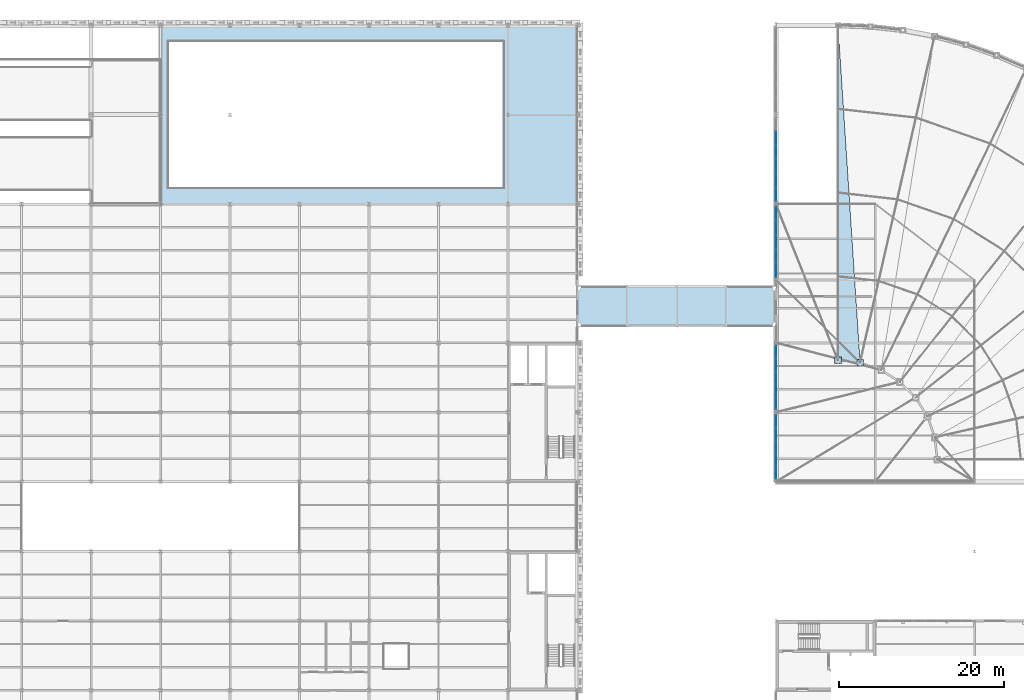
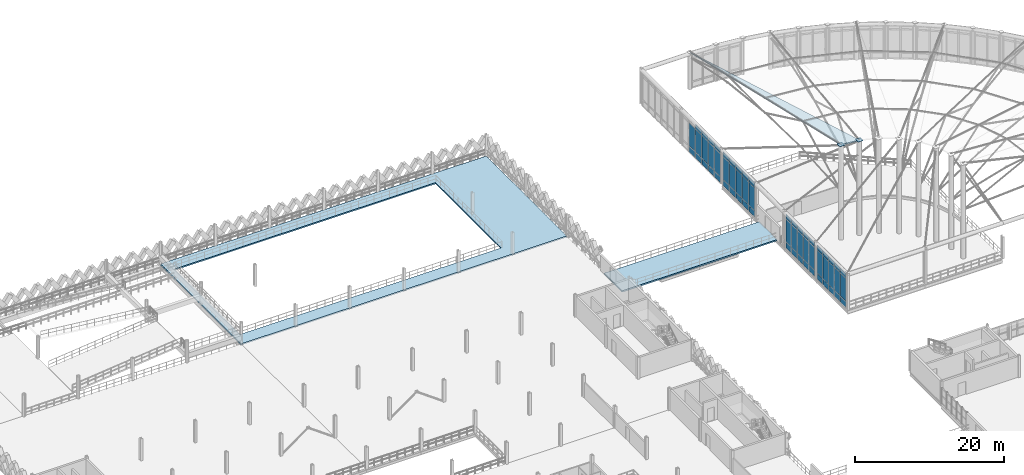
# One storey, part 68 of 101: 61 plates, 3 slabs, 5 elements without a shape of their own.
"""IFC4 building model written with IfcOpenShell, lengths in metres."""

from ifc_helpers import new_model, si_unit, direction, frame, origin, origin_2d, place, context, subcontext, project, spatial, polyline, rectangle, outline, extrude, material, layer, layer_set, type_object, element, aggregate, save


model = new_model("IFC4")

# Units and contexts
model_context = context("Model", 3, precision=1e-05, world=origin(), true_north=direction((0.0, 1.0)))
body_context = subcontext(model_context, "Body", "Model", "MODEL_VIEW")
ifc_project = project(units=[si_unit("LENGTHUNIT", "METRE"), si_unit("AREAUNIT", "SQUARE_METRE"), si_unit("VOLUMEUNIT", "CUBIC_METRE"), si_unit("PLANEANGLEUNIT", "RADIAN"), si_unit("MASSUNIT", "GRAM", prefix="KILO"), si_unit("THERMODYNAMICTEMPERATUREUNIT", "KELVIN"), si_unit("POWERUNIT", "WATT")], contexts=[model_context])

# Site, building, storey
site_placement = place(None, origin())
site = spatial("IfcSite", under=ifc_project, at=site_placement, CompositionType="ELEMENT")
building_placement = place(site_placement, origin())
building = spatial("IfcBuilding", under=site, at=building_placement, Name="Tembeka Court Mobility Hub", CompositionType="ELEMENT")
storey_placement = place(building_placement, frame((0.0, 0.0, 5.39990234375)))
storey = spatial("IfcBuildingStorey", under=building, at=storey_placement, Name="L01", CompositionType="ELEMENT", Elevation=5.39990234375)

# Curtain wall, plates
ifc_material_1 = material(Name="Anodised aluminium 6063-T6", Category="aluminium")
ifc_layer_1 = layer(ifc_material_1, 0.199951171875)
ifc_layer_set_1 = layer_set([ifc_layer_1], Name="Anodised aluminium 6063-T6")
curtain_wall_type_1 = type_object("IfcCurtainWallType", Name="CW-SYS26", PredefinedType="USERDEFINED", material=ifc_layer_set_1)
curtain_wall_1_placement = place(storey_placement, origin())
curtain_wall_1 = element("IfcCurtainWall", 1, at=curtain_wall_1_placement, inside=storey, type_object=curtain_wall_type_1, Name="Unitised curtain wall CW26 (CW-L01-085)", ObjectType="UNITISED GLAZING", PredefinedType="USERDEFINED")
ifc_material_2 = material(Name="Laminated solar-control low-E glass", Category="glass")
ifc_layer_2 = layer(ifc_material_2, 0.028076171875)
ifc_layer_set_2 = layer_set([ifc_layer_2], Name="Laminated solar-control low-E glass")
plate_type_1 = type_object("IfcPlateType", Name="PL-CW01", PredefinedType="CURTAIN_PANEL", material=ifc_layer_set_2)
plate_1_placement = place(storey_placement, frame((116.39990234375, 73.082763671875, 0.0751953125), z_axis=(0.0, 0.0, 1.0), x_axis=(0.0, 1.0, 0.0)))
plate_1 = element("IfcPlate", 2, at=plate_1_placement, type_object=plate_type_1, Name="CW26 panel 1.1", PredefinedType="CURTAIN_PANEL", context=body_context, shape_type="SweptSolid", body=[
    extrude(rectangle(XDim=1.45556640625, YDim=0.028076171875, at=origin_2d()), origin(), (0.0, 0.0, 1.0), 0.9375),
])
plate_2_placement = place(storey_placement, frame((116.39990234375, 73.082763671875, 1.087646484375), z_axis=(0.0, 0.0, 1.0), x_axis=(0.0, 1.0, 0.0)))
plate_2 = element("IfcPlate", 3, at=plate_2_placement, type_object=plate_type_1, Name="CW26 panel 1.2", PredefinedType="CURTAIN_PANEL", context=body_context, shape_type="SweptSolid", body=[
    extrude(rectangle(XDim=1.45556640625, YDim=0.028076171875, at=origin_2d()), origin(), (0.0, 0.0, 1.0), 3.72509765625),
])
plate_3_placement = place(storey_placement, frame((116.39990234375, 73.082763671875, 4.8876953125), z_axis=(0.0, 0.0, 1.0), x_axis=(0.0, 1.0, 0.0)))
plate_3 = element("IfcPlate", 4, at=plate_3_placement, type_object=plate_type_1, Name="CW26 panel 1.3", PredefinedType="CURTAIN_PANEL", context=body_context, shape_type="SweptSolid", body=[
    extrude(rectangle(XDim=1.45556640625, YDim=0.028076171875, at=origin_2d()), origin(), (0.0, 0.0, 1.0), 0.737548828125),
])
plate_4_placement = place(storey_placement, frame((116.39990234375, 74.632080078125, 0.0751953125), z_axis=(0.0, 0.0, 1.0), x_axis=(0.0, 1.0, 0.0)))
plate_4 = element("IfcPlate", 5, at=plate_4_placement, type_object=plate_type_1, Name="CW26 panel 2.1", PredefinedType="CURTAIN_PANEL", context=body_context, shape_type="SweptSolid", body=[
    extrude(rectangle(XDim=1.492919921875, YDim=0.028076171875, at=origin_2d()), origin(), (0.0, 0.0, 1.0), 0.9375),
])
plate_5_placement = place(storey_placement, frame((116.39990234375, 74.632080078125, 1.087646484375), z_axis=(0.0, 0.0, 1.0), x_axis=(0.0, 1.0, 0.0)))
plate_5 = element("IfcPlate", 6, at=plate_5_placement, type_object=plate_type_1, Name="CW26 panel 2.2", PredefinedType="CURTAIN_PANEL", context=body_context, shape_type="SweptSolid", body=[
    extrude(rectangle(XDim=1.492919921875, YDim=0.028076171875, at=origin_2d()), origin(), (0.0, 0.0, 1.0), 3.72509765625),
])
plate_6_placement = place(storey_placement, frame((116.39990234375, 74.632080078125, 4.8876953125), z_axis=(0.0, 0.0, 1.0), x_axis=(0.0, 1.0, 0.0)))
plate_6 = element("IfcPlate", 7, at=plate_6_placement, type_object=plate_type_1, Name="CW26 panel 2.3", PredefinedType="CURTAIN_PANEL", context=body_context, shape_type="SweptSolid", body=[
    extrude(rectangle(XDim=1.492919921875, YDim=0.028076171875, at=origin_2d()), origin(), (0.0, 0.0, 1.0), 0.737548828125),
])
plate_7_placement = place(storey_placement, frame((116.39990234375, 76.199951171875, 0.0751953125), z_axis=(0.0, 0.0, 1.0), x_axis=(0.0, 1.0, 0.0)))
plate_7 = element("IfcPlate", 8, at=plate_7_placement, type_object=plate_type_1, Name="CW26 panel 3.1", PredefinedType="CURTAIN_PANEL", context=body_context, shape_type="SweptSolid", body=[
    extrude(rectangle(XDim=1.492919921875, YDim=0.028076171875, at=origin_2d()), origin(), (0.0, 0.0, 1.0), 0.9375),
])
plate_8_placement = place(storey_placement, frame((116.39990234375, 76.199951171875, 1.087646484375), z_axis=(0.0, 0.0, 1.0), x_axis=(0.0, 1.0, 0.0)))
plate_8 = element("IfcPlate", 9, at=plate_8_placement, type_object=plate_type_1, Name="CW26 panel 3.2", PredefinedType="CURTAIN_PANEL", context=body_context, shape_type="SweptSolid", body=[
    extrude(rectangle(XDim=1.492919921875, YDim=0.028076171875, at=origin_2d()), origin(), (0.0, 0.0, 1.0), 3.72509765625),
])
plate_9_placement = place(storey_placement, frame((116.39990234375, 76.199951171875, 4.8876953125), z_axis=(0.0, 0.0, 1.0), x_axis=(0.0, 1.0, 0.0)))
plate_9 = element("IfcPlate", 10, at=plate_9_placement, type_object=plate_type_1, Name="CW26 panel 3.3", PredefinedType="CURTAIN_PANEL", context=body_context, shape_type="SweptSolid", body=[
    extrude(rectangle(XDim=1.492919921875, YDim=0.028076171875, at=origin_2d()), origin(), (0.0, 0.0, 1.0), 0.737548828125),
])
plate_10_placement = place(storey_placement, frame((116.39990234375, 77.76806640625, 0.0751953125), z_axis=(0.0, 0.0, 1.0), x_axis=(0.0, 1.0, 0.0)))
plate_10 = element("IfcPlate", 11, at=plate_10_placement, type_object=plate_type_1, Name="CW26 panel 4.1", PredefinedType="CURTAIN_PANEL", context=body_context, shape_type="SweptSolid", body=[
    extrude(rectangle(XDim=1.492919921875, YDim=0.028076171875, at=origin_2d()), origin(), (0.0, 0.0, 1.0), 0.9375),
])
plate_11_placement = place(storey_placement, frame((116.39990234375, 77.76806640625, 1.087646484375), z_axis=(0.0, 0.0, 1.0), x_axis=(0.0, 1.0, 0.0)))
plate_11 = element("IfcPlate", 12, at=plate_11_placement, type_object=plate_type_1, Name="CW26 panel 4.2", PredefinedType="CURTAIN_PANEL", context=body_context, shape_type="SweptSolid", body=[
    extrude(rectangle(XDim=1.492919921875, YDim=0.028076171875, at=origin_2d()), origin(), (0.0, 0.0, 1.0), 3.72509765625),
])
plate_12_placement = place(storey_placement, frame((116.39990234375, 77.76806640625, 4.8876953125), z_axis=(0.0, 0.0, 1.0), x_axis=(0.0, 1.0, 0.0)))
plate_12 = element("IfcPlate", 13, at=plate_12_placement, type_object=plate_type_1, Name="CW26 panel 4.3", PredefinedType="CURTAIN_PANEL", context=body_context, shape_type="SweptSolid", body=[
    extrude(rectangle(XDim=1.492919921875, YDim=0.028076171875, at=origin_2d()), origin(), (0.0, 0.0, 1.0), 0.737548828125),
])
plate_13_placement = place(storey_placement, frame((116.39990234375, 79.317138671875, 0.0751953125), z_axis=(0.0, 0.0, 1.0), x_axis=(0.0, 1.0, 0.0)))
plate_13 = element("IfcPlate", 14, at=plate_13_placement, type_object=plate_type_1, Name="CW26 panel 5.1", PredefinedType="CURTAIN_PANEL", context=body_context, shape_type="SweptSolid", body=[
    extrude(rectangle(XDim=1.45556640625, YDim=0.028076171875, at=origin_2d()), origin(), (0.0, 0.0, 1.0), 0.9375),
])
plate_14_placement = place(storey_placement, frame((116.39990234375, 79.317138671875, 1.087646484375), z_axis=(0.0, 0.0, 1.0), x_axis=(0.0, 1.0, 0.0)))
plate_14 = element("IfcPlate", 15, at=plate_14_placement, type_object=plate_type_1, Name="CW26 panel 5.2", PredefinedType="CURTAIN_PANEL", context=body_context, shape_type="SweptSolid", body=[
    extrude(rectangle(XDim=1.45556640625, YDim=0.028076171875, at=origin_2d()), origin(), (0.0, 0.0, 1.0), 3.72509765625),
])
plate_15_placement = place(storey_placement, frame((116.39990234375, 79.317138671875, 4.8876953125), z_axis=(0.0, 0.0, 1.0), x_axis=(0.0, 1.0, 0.0)))
plate_15 = element("IfcPlate", 16, at=plate_15_placement, type_object=plate_type_1, Name="CW26 panel 5.3", PredefinedType="CURTAIN_PANEL", context=body_context, shape_type="SweptSolid", body=[
    extrude(rectangle(XDim=1.45556640625, YDim=0.028076171875, at=origin_2d()), origin(), (0.0, 0.0, 1.0), 0.737548828125),
])
aggregate(curtain_wall_1, [plate_1, plate_2, plate_3, plate_4, plate_5, plate_6, plate_7, plate_8, plate_9, plate_10, plate_11, plate_12, plate_13, plate_14, plate_15])

ifc_layer_3 = layer(ifc_material_1, 0.199951171875)
ifc_layer_set_3 = layer_set([ifc_layer_3], Name="Anodised aluminium 6063-T6")
curtain_wall_type_2 = type_object("IfcCurtainWallType", Name="CW-SYS30", PredefinedType="USERDEFINED", material=ifc_layer_set_3)
curtain_wall_2_placement = place(storey_placement, origin())
curtain_wall_2 = element("IfcCurtainWall", 17, at=curtain_wall_2_placement, inside=storey, type_object=curtain_wall_type_2, Name="Unitised curtain wall CW30 (CW-L01-090)", ObjectType="UNITISED GLAZING", PredefinedType="USERDEFINED")
plate_16_placement = place(storey_placement, frame((116.39990234375, 98.35205078125, 0.0751953125), z_axis=(0.0, 0.0, 1.0), x_axis=(0.0, 1.0, 0.0)))
plate_16 = element("IfcPlate", 18, at=plate_16_placement, type_object=plate_type_1, Name="CW30 panel 1.1", PredefinedType="CURTAIN_PANEL", context=body_context, shape_type="SweptSolid", body=[
    extrude(rectangle(XDim=1.59423828125, YDim=0.028076171875, at=origin_2d()), origin(), (0.0, 0.0, 1.0), 0.9375),
])
plate_17_placement = place(storey_placement, frame((116.39990234375, 98.35205078125, 1.087646484375), z_axis=(0.0, 0.0, 1.0), x_axis=(0.0, 1.0, 0.0)))
plate_17 = element("IfcPlate", 19, at=plate_17_placement, type_object=plate_type_1, Name="CW30 panel 1.2", PredefinedType="CURTAIN_PANEL", context=body_context, shape_type="SweptSolid", body=[
    extrude(rectangle(XDim=1.59423828125, YDim=0.028076171875, at=origin_2d()), origin(), (0.0, 0.0, 1.0), 3.72509765625),
])
plate_18_placement = place(storey_placement, frame((116.39990234375, 98.35205078125, 4.8876953125), z_axis=(0.0, 0.0, 1.0), x_axis=(0.0, 1.0, 0.0)))
plate_18 = element("IfcPlate", 20, at=plate_18_placement, type_object=plate_type_1, Name="CW30 panel 1.3", PredefinedType="CURTAIN_PANEL", context=body_context, shape_type="SweptSolid", body=[
    extrude(rectangle(XDim=1.59423828125, YDim=0.028076171875, at=origin_2d()), origin(), (0.0, 0.0, 1.0), 0.737548828125),
])
plate_19_placement = place(storey_placement, frame((116.39990234375, 100.0400390625, 0.0751953125), z_axis=(0.0, 0.0, 1.0), x_axis=(0.0, 1.0, 0.0)))
plate_19 = element("IfcPlate", 21, at=plate_19_placement, type_object=plate_type_1, Name="CW30 panel 2.1", PredefinedType="CURTAIN_PANEL", context=body_context, shape_type="SweptSolid", body=[
    extrude(rectangle(XDim=1.631591796875, YDim=0.028076171875, at=origin_2d()), origin(), (0.0, 0.0, 1.0), 0.9375),
])
plate_20_placement = place(storey_placement, frame((116.39990234375, 100.0400390625, 1.087646484375), z_axis=(0.0, 0.0, 1.0), x_axis=(0.0, 1.0, 0.0)))
plate_20 = element("IfcPlate", 22, at=plate_20_placement, type_object=plate_type_1, Name="CW30 panel 2.2", PredefinedType="CURTAIN_PANEL", context=body_context, shape_type="SweptSolid", body=[
    extrude(rectangle(XDim=1.631591796875, YDim=0.028076171875, at=origin_2d()), origin(), (0.0, 0.0, 1.0), 3.72509765625),
])
plate_21_placement = place(storey_placement, frame((116.39990234375, 100.0400390625, 4.8876953125), z_axis=(0.0, 0.0, 1.0), x_axis=(0.0, 1.0, 0.0)))
plate_21 = element("IfcPlate", 23, at=plate_21_placement, type_object=plate_type_1, Name="CW30 panel 2.3", PredefinedType="CURTAIN_PANEL", context=body_context, shape_type="SweptSolid", body=[
    extrude(rectangle(XDim=1.631591796875, YDim=0.028076171875, at=origin_2d()), origin(), (0.0, 0.0, 1.0), 0.737548828125),
])
plate_22_placement = place(storey_placement, frame((116.39990234375, 101.74658203125, 0.0751953125), z_axis=(0.0, 0.0, 1.0), x_axis=(0.0, 1.0, 0.0)))
plate_22 = element("IfcPlate", 24, at=plate_22_placement, type_object=plate_type_1, Name="CW30 panel 3.1", PredefinedType="CURTAIN_PANEL", context=body_context, shape_type="SweptSolid", body=[
    extrude(rectangle(XDim=1.631591796875, YDim=0.028076171875, at=origin_2d()), origin(), (0.0, 0.0, 1.0), 0.9375),
])
plate_23_placement = place(storey_placement, frame((116.39990234375, 101.74658203125, 1.087646484375), z_axis=(0.0, 0.0, 1.0), x_axis=(0.0, 1.0, 0.0)))
plate_23 = element("IfcPlate", 25, at=plate_23_placement, type_object=plate_type_1, Name="CW30 panel 3.2", PredefinedType="CURTAIN_PANEL", context=body_context, shape_type="SweptSolid", body=[
    extrude(rectangle(XDim=1.631591796875, YDim=0.028076171875, at=origin_2d()), origin(), (0.0, 0.0, 1.0), 3.72509765625),
])
plate_24_placement = place(storey_placement, frame((116.39990234375, 101.74658203125, 4.8876953125), z_axis=(0.0, 0.0, 1.0), x_axis=(0.0, 1.0, 0.0)))
plate_24 = element("IfcPlate", 26, at=plate_24_placement, type_object=plate_type_1, Name="CW30 panel 3.3", PredefinedType="CURTAIN_PANEL", context=body_context, shape_type="SweptSolid", body=[
    extrude(rectangle(XDim=1.631591796875, YDim=0.028076171875, at=origin_2d()), origin(), (0.0, 0.0, 1.0), 0.737548828125),
])
plate_25_placement = place(storey_placement, frame((116.39990234375, 103.453369140625, 0.0751953125), z_axis=(0.0, 0.0, 1.0), x_axis=(0.0, 1.0, 0.0)))
plate_25 = element("IfcPlate", 27, at=plate_25_placement, type_object=plate_type_1, Name="CW30 panel 4.1", PredefinedType="CURTAIN_PANEL", context=body_context, shape_type="SweptSolid", body=[
    extrude(rectangle(XDim=1.631591796875, YDim=0.028076171875, at=origin_2d()), origin(), (0.0, 0.0, 1.0), 0.9375),
])
plate_26_placement = place(storey_placement, frame((116.39990234375, 103.453369140625, 1.087646484375), z_axis=(0.0, 0.0, 1.0), x_axis=(0.0, 1.0, 0.0)))
plate_26 = element("IfcPlate", 28, at=plate_26_placement, type_object=plate_type_1, Name="CW30 panel 4.2", PredefinedType="CURTAIN_PANEL", context=body_context, shape_type="SweptSolid", body=[
    extrude(rectangle(XDim=1.631591796875, YDim=0.028076171875, at=origin_2d()), origin(), (0.0, 0.0, 1.0), 3.72509765625),
])
plate_27_placement = place(storey_placement, frame((116.39990234375, 103.453369140625, 4.8876953125), z_axis=(0.0, 0.0, 1.0), x_axis=(0.0, 1.0, 0.0)))
plate_27 = element("IfcPlate", 29, at=plate_27_placement, type_object=plate_type_1, Name="CW30 panel 4.3", PredefinedType="CURTAIN_PANEL", context=body_context, shape_type="SweptSolid", body=[
    extrude(rectangle(XDim=1.631591796875, YDim=0.028076171875, at=origin_2d()), origin(), (0.0, 0.0, 1.0), 0.737548828125),
])
plate_28_placement = place(storey_placement, frame((116.39990234375, 105.159912109375, 0.0751953125), z_axis=(0.0, 0.0, 1.0), x_axis=(0.0, 1.0, 0.0)))
plate_28 = element("IfcPlate", 30, at=plate_28_placement, type_object=plate_type_1, Name="CW30 panel 5.1", PredefinedType="CURTAIN_PANEL", context=body_context, shape_type="SweptSolid", body=[
    extrude(rectangle(XDim=1.631591796875, YDim=0.028076171875, at=origin_2d()), origin(), (0.0, 0.0, 1.0), 0.9375),
])
plate_29_placement = place(storey_placement, frame((116.39990234375, 105.159912109375, 1.087646484375), z_axis=(0.0, 0.0, 1.0), x_axis=(0.0, 1.0, 0.0)))
plate_29 = element("IfcPlate", 31, at=plate_29_placement, type_object=plate_type_1, Name="CW30 panel 5.2", PredefinedType="CURTAIN_PANEL", context=body_context, shape_type="SweptSolid", body=[
    extrude(rectangle(XDim=1.631591796875, YDim=0.028076171875, at=origin_2d()), origin(), (0.0, 0.0, 1.0), 3.72509765625),
])
aggregate(curtain_wall_2, [plate_16, plate_17, plate_18, plate_19, plate_20, plate_21, plate_22, plate_23, plate_24, plate_25, plate_26, plate_27, plate_28, plate_29])

curtain_wall_3_placement = place(storey_placement, origin())
curtain_wall_3 = element("IfcCurtainWall", 32, at=curtain_wall_3_placement, inside=storey, type_object=curtain_wall_type_1, Name="Unitised curtain wall CW26 (CW-L01-084)", ObjectType="UNITISED GLAZING", PredefinedType="USERDEFINED")
ifc_material_3 = material(Name="Insulated aluminium spandrel panel", Category="aluminium")
ifc_layer_4 = layer(ifc_material_3, 0.052001953125)
ifc_layer_set_4 = layer_set([ifc_layer_4], Name="Insulated aluminium spandrel panel")
plate_type_2 = type_object("IfcPlateType", Name="PL-CW02", PredefinedType="CURTAIN_PANEL", material=ifc_layer_set_4)
plate_30_placement = place(storey_placement, frame((116.39990234375, 64.682861328125, 0.0751953125), z_axis=(0.0, 0.0, 1.0), x_axis=(0.0, 1.0, 0.0)))
plate_30 = element("IfcPlate", 33, at=plate_30_placement, type_object=plate_type_2, Name="CW26 panel 1.1", PredefinedType="CURTAIN_PANEL", context=body_context, shape_type="SweptSolid", body=[
    extrude(rectangle(XDim=1.45556640625, YDim=0.052001953125, at=origin_2d()), origin(), (0.0, 0.0, 1.0), 0.9375),
])
plate_31_placement = place(storey_placement, frame((116.39990234375, 64.682861328125, 1.087646484375), z_axis=(0.0, 0.0, 1.0), x_axis=(0.0, 1.0, 0.0)))
plate_31 = element("IfcPlate", 34, at=plate_31_placement, type_object=plate_type_2, Name="CW26 panel 1.2", PredefinedType="CURTAIN_PANEL", context=body_context, shape_type="SweptSolid", body=[
    extrude(rectangle(XDim=1.45556640625, YDim=0.052001953125, at=origin_2d()), origin(), (0.0, 0.0, 1.0), 3.72509765625),
])
plate_32_placement = place(storey_placement, frame((116.39990234375, 64.682861328125, 4.8876953125), z_axis=(0.0, 0.0, 1.0), x_axis=(0.0, 1.0, 0.0)))
plate_32 = element("IfcPlate", 35, at=plate_32_placement, type_object=plate_type_2, Name="CW26 panel 1.3", PredefinedType="CURTAIN_PANEL", context=body_context, shape_type="SweptSolid", body=[
    extrude(rectangle(XDim=1.45556640625, YDim=0.052001953125, at=origin_2d()), origin(), (0.0, 0.0, 1.0), 0.737548828125),
])
plate_33_placement = place(storey_placement, frame((116.39990234375, 66.23193359375, 0.0751953125), z_axis=(0.0, 0.0, 1.0), x_axis=(0.0, 1.0, 0.0)))
plate_33 = element("IfcPlate", 36, at=plate_33_placement, type_object=plate_type_2, Name="CW26 panel 2.1", PredefinedType="CURTAIN_PANEL", context=body_context, shape_type="SweptSolid", body=[
    extrude(rectangle(XDim=1.492919921875, YDim=0.052001953125, at=origin_2d()), origin(), (0.0, 0.0, 1.0), 0.9375),
])
plate_34_placement = place(storey_placement, frame((116.39990234375, 66.23193359375, 1.087646484375), z_axis=(0.0, 0.0, 1.0), x_axis=(0.0, 1.0, 0.0)))
plate_34 = element("IfcPlate", 37, at=plate_34_placement, type_object=plate_type_2, Name="CW26 panel 2.2", PredefinedType="CURTAIN_PANEL", context=body_context, shape_type="SweptSolid", body=[
    extrude(rectangle(XDim=1.492919921875, YDim=0.052001953125, at=origin_2d()), origin(), (0.0, 0.0, 1.0), 3.72509765625),
])
plate_35_placement = place(storey_placement, frame((116.39990234375, 66.23193359375, 4.8876953125), z_axis=(0.0, 0.0, 1.0), x_axis=(0.0, 1.0, 0.0)))
plate_35 = element("IfcPlate", 38, at=plate_35_placement, type_object=plate_type_2, Name="CW26 panel 2.3", PredefinedType="CURTAIN_PANEL", context=body_context, shape_type="SweptSolid", body=[
    extrude(rectangle(XDim=1.492919921875, YDim=0.052001953125, at=origin_2d()), origin(), (0.0, 0.0, 1.0), 0.737548828125),
])
plate_36_placement = place(storey_placement, frame((116.39990234375, 67.800048828125, 0.0751953125), z_axis=(0.0, 0.0, 1.0), x_axis=(0.0, 1.0, 0.0)))
plate_36 = element("IfcPlate", 39, at=plate_36_placement, type_object=plate_type_2, Name="CW26 panel 3.1", PredefinedType="CURTAIN_PANEL", context=body_context, shape_type="SweptSolid", body=[
    extrude(rectangle(XDim=1.492919921875, YDim=0.052001953125, at=origin_2d()), origin(), (0.0, 0.0, 1.0), 0.9375),
])
plate_37_placement = place(storey_placement, frame((116.39990234375, 67.800048828125, 1.087646484375), z_axis=(0.0, 0.0, 1.0), x_axis=(0.0, 1.0, 0.0)))
plate_37 = element("IfcPlate", 40, at=plate_37_placement, type_object=plate_type_2, Name="CW26 panel 3.2", PredefinedType="CURTAIN_PANEL", context=body_context, shape_type="SweptSolid", body=[
    extrude(rectangle(XDim=1.492919921875, YDim=0.052001953125, at=origin_2d()), origin(), (0.0, 0.0, 1.0), 3.72509765625),
])
plate_38_placement = place(storey_placement, frame((116.39990234375, 67.800048828125, 4.8876953125), z_axis=(0.0, 0.0, 1.0), x_axis=(0.0, 1.0, 0.0)))
plate_38 = element("IfcPlate", 41, at=plate_38_placement, type_object=plate_type_2, Name="CW26 panel 3.3", PredefinedType="CURTAIN_PANEL", context=body_context, shape_type="SweptSolid", body=[
    extrude(rectangle(XDim=1.492919921875, YDim=0.052001953125, at=origin_2d()), origin(), (0.0, 0.0, 1.0), 0.737548828125),
])
plate_39_placement = place(storey_placement, frame((116.39990234375, 69.367919921875, 0.0751953125), z_axis=(0.0, 0.0, 1.0), x_axis=(0.0, 1.0, 0.0)))
plate_39 = element("IfcPlate", 42, at=plate_39_placement, type_object=plate_type_2, Name="CW26 panel 4.1", PredefinedType="CURTAIN_PANEL", context=body_context, shape_type="SweptSolid", body=[
    extrude(rectangle(XDim=1.492919921875, YDim=0.052001953125, at=origin_2d()), origin(), (0.0, 0.0, 1.0), 0.9375),
])
plate_40_placement = place(storey_placement, frame((116.39990234375, 69.367919921875, 1.087646484375), z_axis=(0.0, 0.0, 1.0), x_axis=(0.0, 1.0, 0.0)))
plate_40 = element("IfcPlate", 43, at=plate_40_placement, type_object=plate_type_2, Name="CW26 panel 4.2", PredefinedType="CURTAIN_PANEL", context=body_context, shape_type="SweptSolid", body=[
    extrude(rectangle(XDim=1.492919921875, YDim=0.052001953125, at=origin_2d()), origin(), (0.0, 0.0, 1.0), 3.72509765625),
])
plate_41_placement = place(storey_placement, frame((116.39990234375, 69.367919921875, 4.8876953125), z_axis=(0.0, 0.0, 1.0), x_axis=(0.0, 1.0, 0.0)))
plate_41 = element("IfcPlate", 44, at=plate_41_placement, type_object=plate_type_2, Name="CW26 panel 4.3", PredefinedType="CURTAIN_PANEL", context=body_context, shape_type="SweptSolid", body=[
    extrude(rectangle(XDim=1.492919921875, YDim=0.052001953125, at=origin_2d()), origin(), (0.0, 0.0, 1.0), 0.737548828125),
])
plate_42_placement = place(storey_placement, frame((116.39990234375, 70.917236328125, 0.0751953125), z_axis=(0.0, 0.0, 1.0), x_axis=(0.0, 1.0, 0.0)))
plate_42 = element("IfcPlate", 45, at=plate_42_placement, type_object=plate_type_2, Name="CW26 panel 5.1", PredefinedType="CURTAIN_PANEL", context=body_context, shape_type="SweptSolid", body=[
    extrude(rectangle(XDim=1.45556640625, YDim=0.052001953125, at=origin_2d()), origin(), (0.0, 0.0, 1.0), 0.9375),
])
plate_43_placement = place(storey_placement, frame((116.39990234375, 70.917236328125, 1.087646484375), z_axis=(0.0, 0.0, 1.0), x_axis=(0.0, 1.0, 0.0)))
plate_43 = element("IfcPlate", 46, at=plate_43_placement, type_object=plate_type_2, Name="CW26 panel 5.2", PredefinedType="CURTAIN_PANEL", context=body_context, shape_type="SweptSolid", body=[
    extrude(rectangle(XDim=1.45556640625, YDim=0.052001953125, at=origin_2d()), origin(), (0.0, 0.0, 1.0), 3.72509765625),
])
plate_44_placement = place(storey_placement, frame((116.39990234375, 70.917236328125, 4.8876953125), z_axis=(0.0, 0.0, 1.0), x_axis=(0.0, 1.0, 0.0)))
plate_44 = element("IfcPlate", 47, at=plate_44_placement, type_object=plate_type_2, Name="CW26 panel 5.3", PredefinedType="CURTAIN_PANEL", context=body_context, shape_type="SweptSolid", body=[
    extrude(rectangle(XDim=1.45556640625, YDim=0.052001953125, at=origin_2d()), origin(), (0.0, 0.0, 1.0), 0.737548828125),
])
aggregate(curtain_wall_3, [plate_30, plate_31, plate_32, plate_33, plate_34, plate_35, plate_36, plate_37, plate_38, plate_39, plate_40, plate_41, plate_42, plate_43, plate_44])

ifc_layer_5 = layer(ifc_material_1, 0.199951171875)
ifc_layer_set_5 = layer_set([ifc_layer_5], Name="Anodised aluminium 6063-T6")
curtain_wall_type_3 = type_object("IfcCurtainWallType", Name="CW-SYS29", PredefinedType="USERDEFINED", material=ifc_layer_set_5)
curtain_wall_4_placement = place(storey_placement, origin())
curtain_wall_4 = element("IfcCurtainWall", 48, at=curtain_wall_4_placement, inside=storey, type_object=curtain_wall_type_3, Name="Unitised curtain wall CW29 (CW-L01-088)", ObjectType="UNITISED GLAZING", PredefinedType="USERDEFINED")
plate_45_placement = place(storey_placement, frame((116.39990234375, 89.162841796875, 0.0751953125), z_axis=(0.0, 0.0, 1.0), x_axis=(0.0, 1.0, 0.0)))
plate_45 = element("IfcPlate", 49, at=plate_45_placement, type_object=plate_type_2, Name="CW29 panel 1.1", PredefinedType="CURTAIN_PANEL", context=body_context, shape_type="SweptSolid", body=[
    extrude(rectangle(XDim=1.615478515625, YDim=0.052001953125, at=origin_2d()), origin(), (0.0, 0.0, 1.0), 0.9375),
])
plate_46_placement = place(storey_placement, frame((116.39990234375, 89.162841796875, 1.087646484375), z_axis=(0.0, 0.0, 1.0), x_axis=(0.0, 1.0, 0.0)))
plate_46 = element("IfcPlate", 50, at=plate_46_placement, type_object=plate_type_2, Name="CW29 panel 1.2", PredefinedType="CURTAIN_PANEL", context=body_context, shape_type="SweptSolid", body=[
    extrude(rectangle(XDim=1.615478515625, YDim=0.052001953125, at=origin_2d()), origin(), (0.0, 0.0, 1.0), 3.72509765625),
])
plate_47_placement = place(storey_placement, frame((116.39990234375, 89.162841796875, 4.8876953125), z_axis=(0.0, 0.0, 1.0), x_axis=(0.0, 1.0, 0.0)))
plate_47 = element("IfcPlate", 51, at=plate_47_placement, type_object=plate_type_2, Name="CW29 panel 1.3", PredefinedType="CURTAIN_PANEL", context=body_context, shape_type="SweptSolid", body=[
    extrude(rectangle(XDim=1.615478515625, YDim=0.052001953125, at=origin_2d()), origin(), (0.0, 0.0, 1.0), 0.737548828125),
])
plate_48_placement = place(storey_placement, frame((116.39990234375, 90.8720703125, 0.0751953125), z_axis=(0.0, 0.0, 1.0), x_axis=(0.0, 1.0, 0.0)))
plate_48 = element("IfcPlate", 52, at=plate_48_placement, type_object=plate_type_2, Name="CW29 panel 2.1", PredefinedType="CURTAIN_PANEL", context=body_context, shape_type="SweptSolid", body=[
    extrude(rectangle(XDim=1.653076171875, YDim=0.052001953125, at=origin_2d()), origin(), (0.0, 0.0, 1.0), 0.9375),
])
plate_49_placement = place(storey_placement, frame((116.39990234375, 90.8720703125, 1.087646484375), z_axis=(0.0, 0.0, 1.0), x_axis=(0.0, 1.0, 0.0)))
plate_49 = element("IfcPlate", 53, at=plate_49_placement, type_object=plate_type_2, Name="CW29 panel 2.2", PredefinedType="CURTAIN_PANEL", context=body_context, shape_type="SweptSolid", body=[
    extrude(rectangle(XDim=1.653076171875, YDim=0.052001953125, at=origin_2d()), origin(), (0.0, 0.0, 1.0), 3.72509765625),
])
plate_50_placement = place(storey_placement, frame((116.39990234375, 90.8720703125, 4.8876953125), z_axis=(0.0, 0.0, 1.0), x_axis=(0.0, 1.0, 0.0)))
plate_50 = element("IfcPlate", 54, at=plate_50_placement, type_object=plate_type_2, Name="CW29 panel 2.3", PredefinedType="CURTAIN_PANEL", context=body_context, shape_type="SweptSolid", body=[
    extrude(rectangle(XDim=1.653076171875, YDim=0.052001953125, at=origin_2d()), origin(), (0.0, 0.0, 1.0), 0.737548828125),
])
plate_51_placement = place(storey_placement, frame((116.39990234375, 92.60009765625, 0.0751953125), z_axis=(0.0, 0.0, 1.0), x_axis=(0.0, 1.0, 0.0)))
plate_51 = element("IfcPlate", 55, at=plate_51_placement, type_object=plate_type_2, Name="CW29 panel 3.1", PredefinedType="CURTAIN_PANEL", context=body_context, shape_type="SweptSolid", body=[
    extrude(rectangle(XDim=1.653076171875, YDim=0.052001953125, at=origin_2d()), origin(), (0.0, 0.0, 1.0), 0.9375),
])
plate_52_placement = place(storey_placement, frame((116.39990234375, 92.60009765625, 1.087646484375), z_axis=(0.0, 0.0, 1.0), x_axis=(0.0, 1.0, 0.0)))
plate_52 = element("IfcPlate", 56, at=plate_52_placement, type_object=plate_type_2, Name="CW29 panel 3.2", PredefinedType="CURTAIN_PANEL", context=body_context, shape_type="SweptSolid", body=[
    extrude(rectangle(XDim=1.653076171875, YDim=0.052001953125, at=origin_2d()), origin(), (0.0, 0.0, 1.0), 3.72509765625),
])
plate_53_placement = place(storey_placement, frame((116.39990234375, 92.60009765625, 4.8876953125), z_axis=(0.0, 0.0, 1.0), x_axis=(0.0, 1.0, 0.0)))
plate_53 = element("IfcPlate", 57, at=plate_53_placement, type_object=plate_type_2, Name="CW29 panel 3.3", PredefinedType="CURTAIN_PANEL", context=body_context, shape_type="SweptSolid", body=[
    extrude(rectangle(XDim=1.653076171875, YDim=0.052001953125, at=origin_2d()), origin(), (0.0, 0.0, 1.0), 0.737548828125),
])
plate_54_placement = place(storey_placement, frame((116.39990234375, 94.327880859375, 0.0751953125), z_axis=(0.0, 0.0, 1.0), x_axis=(0.0, 1.0, 0.0)))
plate_54 = element("IfcPlate", 58, at=plate_54_placement, type_object=plate_type_2, Name="CW29 panel 4.1", PredefinedType="CURTAIN_PANEL", context=body_context, shape_type="SweptSolid", body=[
    extrude(rectangle(XDim=1.653076171875, YDim=0.052001953125, at=origin_2d()), origin(), (0.0, 0.0, 1.0), 0.9375),
])
plate_55_placement = place(storey_placement, frame((116.39990234375, 94.327880859375, 1.087646484375), z_axis=(0.0, 0.0, 1.0), x_axis=(0.0, 1.0, 0.0)))
plate_55 = element("IfcPlate", 59, at=plate_55_placement, type_object=plate_type_2, Name="CW29 panel 4.2", PredefinedType="CURTAIN_PANEL", context=body_context, shape_type="SweptSolid", body=[
    extrude(rectangle(XDim=1.653076171875, YDim=0.052001953125, at=origin_2d()), origin(), (0.0, 0.0, 1.0), 3.72509765625),
])
plate_56_placement = place(storey_placement, frame((116.39990234375, 94.327880859375, 4.8876953125), z_axis=(0.0, 0.0, 1.0), x_axis=(0.0, 1.0, 0.0)))
plate_56 = element("IfcPlate", 60, at=plate_56_placement, type_object=plate_type_2, Name="CW29 panel 4.3", PredefinedType="CURTAIN_PANEL", context=body_context, shape_type="SweptSolid", body=[
    extrude(rectangle(XDim=1.653076171875, YDim=0.052001953125, at=origin_2d()), origin(), (0.0, 0.0, 1.0), 0.737548828125),
])
plate_57_placement = place(storey_placement, frame((116.39990234375, 96.037353515625, 0.0751953125), z_axis=(0.0, 0.0, 1.0), x_axis=(0.0, 1.0, 0.0)))
plate_57 = element("IfcPlate", 61, at=plate_57_placement, type_object=plate_type_2, Name="CW29 panel 5.1", PredefinedType="CURTAIN_PANEL", context=body_context, shape_type="SweptSolid", body=[
    extrude(rectangle(XDim=1.615478515625, YDim=0.052001953125, at=origin_2d()), origin(), (0.0, 0.0, 1.0), 0.9375),
])
plate_58_placement = place(storey_placement, frame((116.39990234375, 96.037353515625, 1.087646484375), z_axis=(0.0, 0.0, 1.0), x_axis=(0.0, 1.0, 0.0)))
plate_58 = element("IfcPlate", 62, at=plate_58_placement, type_object=plate_type_2, Name="CW29 panel 5.2", PredefinedType="CURTAIN_PANEL", context=body_context, shape_type="SweptSolid", body=[
    extrude(rectangle(XDim=1.615478515625, YDim=0.052001953125, at=origin_2d()), origin(), (0.0, 0.0, 1.0), 3.72509765625),
])
plate_59_placement = place(storey_placement, frame((116.39990234375, 96.037353515625, 4.8876953125), z_axis=(0.0, 0.0, 1.0), x_axis=(0.0, 1.0, 0.0)))
plate_59 = element("IfcPlate", 63, at=plate_59_placement, type_object=plate_type_2, Name="CW29 panel 5.3", PredefinedType="CURTAIN_PANEL", context=body_context, shape_type="SweptSolid", body=[
    extrude(rectangle(XDim=1.615478515625, YDim=0.052001953125, at=origin_2d()), origin(), (0.0, 0.0, 1.0), 0.737548828125),
])
aggregate(curtain_wall_4, [plate_45, plate_46, plate_47, plate_48, plate_49, plate_50, plate_51, plate_52, plate_53, plate_54, plate_55, plate_56, plate_57, plate_58, plate_59])

# Plates
ifc_material_4 = material(Name="Steel S355", Category="steel")
ifc_layer_6 = layer(ifc_material_4, 0.01806640625)
ifc_layer_set_6 = layer_set([ifc_layer_6], Name="Steel S355")
plate_type_3 = type_object("IfcPlateType", Name="PL-MCP01", PredefinedType="USERDEFINED", material=ifc_layer_set_6)
for number, where, z_axis, x_axis, name in (
    (64, (123.89990234375, 78.300048828125, 15.400146484375), (0.0, 0.0, 1.0), (1.0, 0.0, 0.0), "Concourse roof mast M8 head cap plate MCP01"),
    (65, (126.5703125, 77.9990234375, 15.400146484375), (0.0, 0.0, 1.0), (1.0, 0.0, 0.0), "Concourse roof mast M7 head cap plate MCP01"),
):
    element("IfcPlate", number, at=place(storey_placement, frame(where, z_axis=z_axis, x_axis=x_axis)), inside=storey, type_object=plate_type_3, Name=name, ObjectType="BASE PLATE", PredefinedType="USERDEFINED", context=body_context, shape_type="SweptSolid", body=[
        extrude(rectangle(XDim=0.800048828125, YDim=0.800048828125, at=origin_2d()), origin(), (0.0, 0.0, 1.0), 0.01806640625),
    ])

# Slabs
ifc_material_5 = material(Name="Concrete C40/50", Category="concrete")
ifc_layer_7 = layer(ifc_material_5, 0.22998046875)
ifc_layer_set_7 = layer_set([ifc_layer_7], Name="Concrete C40/50")
slab_type_1 = type_object("IfcSlabType", Name="SL-BR01", PredefinedType="FLOOR", material=ifc_layer_set_7)
slab_1_placement = place(storey_placement, frame((0.0, 0.0, -0.22998046875)))
element("IfcSlab", 66, at=slab_1_placement, inside=storey, type_object=slab_type_1, Name="L01 elevated court link bridge 2 deck", PredefinedType="FLOOR", context=body_context, shape_type="SweptSolid", body=[
    extrude(outline(polyline([(92.39990234375, 82.39990234375), (116.39990234375, 82.39990234375), (116.39990234375, 87.199951171875), (92.39990234375, 87.199951171875), (92.39990234375, 82.39990234375)])), origin(), (0.0, 0.0, 1.0), 0.22998046875),
])
ifc_layer_8 = layer(ifc_material_5, 0.219970703125)
ifc_layer_set_8 = layer_set([ifc_layer_8], Name="Concrete C40/50")
slab_type_2 = type_object("IfcSlabType", Name="SL-FL02", PredefinedType="FLOOR", material=ifc_layer_set_8)
slab_2_placement = place(storey_placement, frame((0.0, 0.0, -0.219970703125)))
element("IfcSlab", 67, at=slab_2_placement, inside=storey, type_object=slab_type_2, Name="L01 North-East EV deck", PredefinedType="FLOOR", context=body_context, shape_type="SweptSolid", body=[
    extrude(outline(polyline([(42.0, 97.199951171875), (92.39990234375, 97.199951171875), (92.39990234375, 118.800048828125), (42.0, 118.800048828125), (42.0, 97.199951171875)]), holes=[polyline([(43.0, 116.800048828125), (83.39990234375, 116.800048828125), (83.39990234375, 99.199951171875), (43.0, 99.199951171875), (43.0, 116.800048828125)])]), origin(), (0.0, 0.0, 1.0), 0.219970703125),
])

# Roof, slab
ifc_layer_9 = layer(ifc_material_4, 0.14990234375)
ifc_layer_set_9 = layer_set([ifc_layer_9], Name="Steel S355")
roof_type = type_object("IfcRoofType", Name="RF-CABLE01", PredefinedType="FREEFORM", material=ifc_layer_set_9)
roof_placement = place(storey_placement, origin())
roof = element("IfcRoof", 68, at=roof_placement, inside=storey, type_object=roof_type, Name="Bus and taxi concourse cable-net roof assembly", PredefinedType="FREEFORM")
ifc_material_6 = material(Name="Insulated acoustic steel-concrete composite deck C40/50", Category="concrete")
ifc_layer_10 = layer(ifc_material_6, 0.14990234375)
ifc_layer_set_10 = layer_set([ifc_layer_10], Name="Insulated acoustic steel-concrete composite deck C40/50")
slab_type_3 = type_object("IfcSlabType", Name="SL-RF02", PredefinedType="ROOF", material=ifc_layer_set_10)
slab_3_placement = place(storey_placement, frame((126.5703125, 77.9990234375, 15.400146484375), z_axis=(0.02547826892, 0.226018901416, 0.973789666209), x_axis=(-0.063649471471, 0.972496189591, -0.22405335528)))
slab_3 = element("IfcSlab", 69, at=slab_3_placement, type_object=slab_type_3, Name="Concourse cable-net acoustic roof facet 7B", PredefinedType="ROOF", context=body_context, shape_type="SweptSolid", body=[
    extrude(outline(polyline([(0.0, 0.0), (41.95494627879694, 2.7755575615628914e-16), (0.4627162404097175, 2.647187256176862), (0.0, 0.0)])), origin(), (0.0, 0.0, -1.0), 0.14990234375),
])
aggregate(roof, [slab_3])

save(model, "model.ifc")
